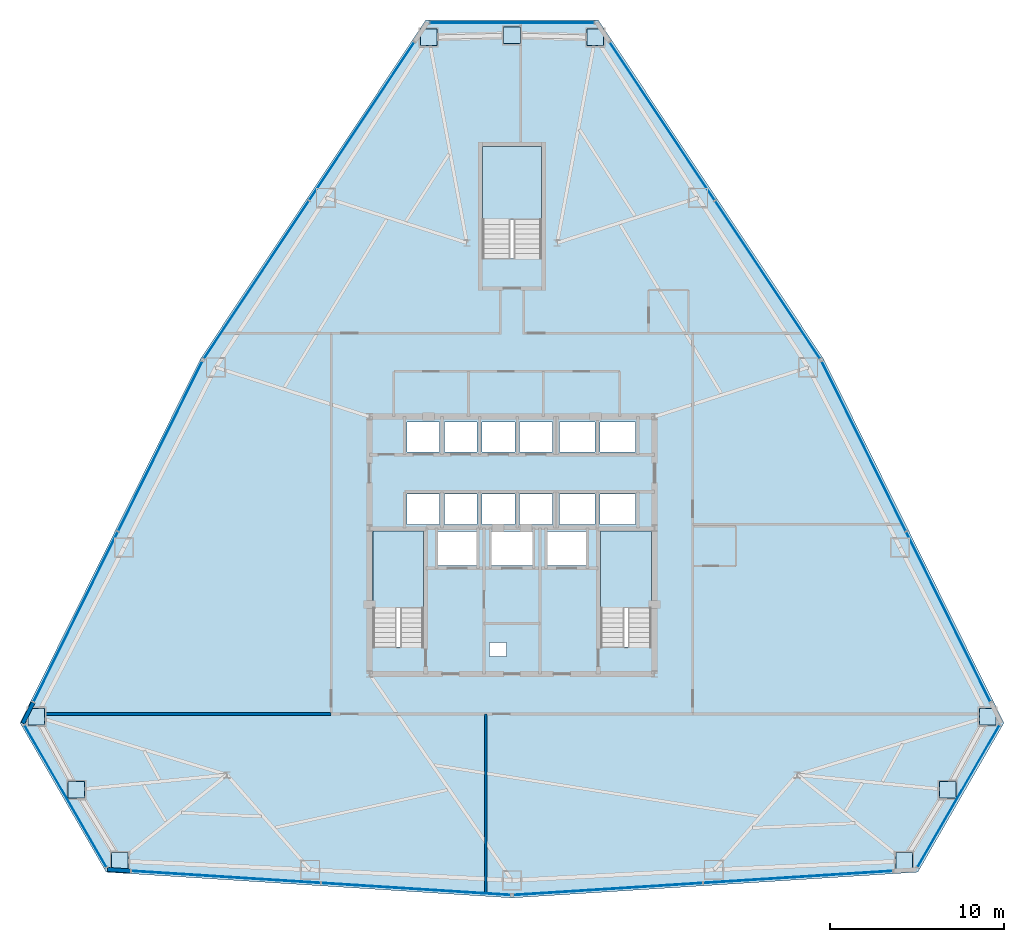
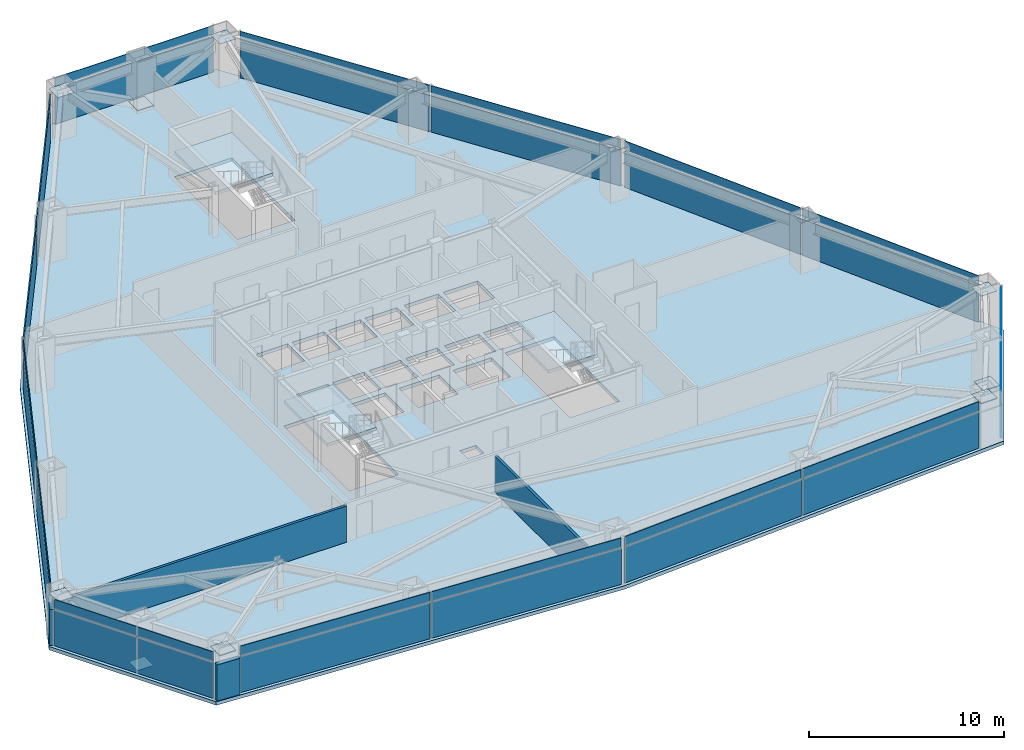
# One storey, part 8 of 12: 39 plates, 4 slabs, 4 walls, 12 elements without a shape of their own.
"""IFC4 building model written with IfcOpenShell, lengths in metres."""

import ifcopenshell
import ifcopenshell.guid

model = None  # the IFC model being written
_history = None  # IfcOwnerHistory: only IFC2X3 demands one
_inside = {}  # id of a spatial element -> (the spatial element, [elements in it])
_under = {}  # id of a project, library or spatial element -> (it, [spatial elements below it])
_declared = {}  # id of a project -> (the project, [libraries it declares])
_typed = {}  # id of a type object -> (the type object, [elements of that type])
_made_of = {}  # id of a material, layer set ... -> (it, [elements and type objects made of it])


def new_model(schema):
    """Start an empty IFC model of exactly this schema.

    Asked for "IFC4X3", IfcOpenShell would pick the latest addendum, in which some entities
    have other attributes; the version numbers below select the first issue.
    IFC2X3 requires an IfcOwnerHistory on every rooted entity: one is made here for all.
    """
    global model, _history
    if schema == "IFC4X3":
        model = ifcopenshell.file(schema_version=(4, 3, 0, 0))
    else:
        model = ifcopenshell.file(schema=schema)
    _inside.clear()
    _under.clear()
    _declared.clear()
    _typed.clear()
    _made_of.clear()
    _history = None
    if model.schema == "IFC2X3":
        org = make("IfcOrganization", Name="unknown")
        user = make(
            "IfcPersonAndOrganization",
            ThePerson=make("IfcPerson", FamilyName="unknown"),
            TheOrganization=org,
        )
        app = make(
            "IfcApplication",
            ApplicationDeveloper=org,
            Version="unknown",
            ApplicationFullName="unknown",
            ApplicationIdentifier="unknown",
        )
        _history = make(
            "IfcOwnerHistory",
            OwningUser=user,
            OwningApplication=app,
            ChangeAction="ADDED",
            CreationDate=0,
        )
    return model


def make(cls, **values):
    """One entity of the class cls with the attributes given. An attribute that is None is left unset."""
    return model.create_entity(
        cls, **{name: value for name, value in values.items() if value is not None}
    )


def rooted(cls, **values):
    """An entity with a GlobalId (a new one), such as an element, a storey or a relation."""
    return make(cls, GlobalId=ifcopenshell.guid.new(), OwnerHistory=_history, **values)


def si_unit(unit_type, name, prefix=None):
    """IfcSIUnit, for example si_unit("LENGTHUNIT", "METRE", prefix="MILLI")."""
    return make("IfcSIUnit", UnitType=unit_type, Prefix=prefix, Name=name)


def assignment(units):
    """IfcUnitAssignment: the units of a project."""
    return None if units is None else make("IfcUnitAssignment", Units=units)


def point(xyz):
    """IfcCartesianPoint."""
    return None if xyz is None else make("IfcCartesianPoint", Coordinates=xyz)


def direction(xyz):
    """IfcDirection."""
    return None if xyz is None else make("IfcDirection", DirectionRatios=xyz)


def frame(location, z_axis=None, x_axis=None):
    """IfcAxis2Placement3D, a coordinate frame: its origin and axes. An axis left out is left unset."""
    return make(
        "IfcAxis2Placement3D",
        Location=point(location),
        Axis=direction(z_axis),
        RefDirection=direction(x_axis),
    )


def frame_2d(location, x_axis=None):
    """IfcAxis2Placement2D, a coordinate frame in the plane: its origin and x axis."""
    return make(
        "IfcAxis2Placement2D", Location=point(location), RefDirection=direction(x_axis)
    )


def origin():
    """The frame at (0, 0, 0) with its axes left unset."""
    return frame((0.0, 0.0, 0.0))


def origin_2d():
    """The frame at (0, 0) in the plane with its x axis left unset."""
    return frame_2d((0.0, 0.0))


def place(relative_to, where):
    """IfcLocalPlacement: puts the frame where relative to a parent placement (None: the world)."""
    return make(
        "IfcLocalPlacement", PlacementRelTo=relative_to, RelativePlacement=where
    )


def context(
    kind, dimensions, precision=None, world=None, true_north=None, identifier=None
):
    """IfcGeometricRepresentationContext, for example the 3D "Model" context."""
    return make(
        "IfcGeometricRepresentationContext",
        ContextIdentifier=identifier,
        ContextType=kind,
        CoordinateSpaceDimension=dimensions,
        Precision=precision,
        WorldCoordinateSystem=world,
        TrueNorth=true_north,
    )


def subcontext(parent, identifier, kind, view, scale=None):
    """IfcGeometricRepresentationSubContext, for example "Body" below "Model"."""
    return make(
        "IfcGeometricRepresentationSubContext",
        ContextIdentifier=identifier,
        ContextType=kind,
        ParentContext=parent,
        TargetScale=scale,
        TargetView=view,
    )


def project(units=None, contexts=None):
    """IfcProject with its units and contexts."""
    return rooted(
        "IfcProject",
        Name="project",
        RepresentationContexts=contexts,
        UnitsInContext=assignment(units),
    )


def spatial(cls, under=None, at=None, **own):
    """A site, building, storey or space (cls), placed at a placement, below another one or the project."""
    s = rooted(cls, ObjectPlacement=at, **own)
    if under is not None:
        _under.setdefault(under.id(), (under, []))[1].append(s)
    return s


def polyline(points):
    """IfcPolyline through the points."""
    return make("IfcPolyline", Points=[point(p) for p in points])


def profile(cls, at=None, kind="AREA", **sizes):
    """A parametric profile (cls). Its sizes go by their IFC names, for example OverallWidth=200.0."""
    return make(cls, ProfileType=kind, Position=at, **sizes)


def rectangle(**sizes):
    """IfcRectangleProfileDef."""
    return profile("IfcRectangleProfileDef", **sizes)


def outline(outer, holes=None, kind="AREA"):
    """IfcArbitraryClosedProfileDef: a profile drawn as a closed curve; with holes, ...WithVoids."""
    if holes is None:
        return make("IfcArbitraryClosedProfileDef", ProfileType=kind, OuterCurve=outer)
    return make(
        "IfcArbitraryProfileDefWithVoids",
        ProfileType=kind,
        OuterCurve=outer,
        InnerCurves=holes,
    )


def extrude(swept, where, along, depth):
    """IfcExtrudedAreaSolid: the profile swept, set in the frame where, extruded along a direction by depth."""
    return make(
        "IfcExtrudedAreaSolid",
        SweptArea=swept,
        Position=where,
        ExtrudedDirection=direction(along),
        Depth=depth,
    )


def shape(context_of_items, identifier, shape_type, items):
    """IfcShapeRepresentation: the items that make up one representation, for example the "Body"."""
    return make(
        "IfcShapeRepresentation",
        ContextOfItems=context_of_items,
        RepresentationIdentifier=identifier,
        RepresentationType=shape_type,
        Items=items,
    )


def source(mapping_origin, context_of_items, identifier, shape_type, items):
    """IfcRepresentationMap: a shape defined once, which mapped items show again and again."""
    return make(
        "IfcRepresentationMap",
        MappingOrigin=mapping_origin,
        MappedRepresentation=shape(context_of_items, identifier, shape_type, items),
    )


def transform(
    local_origin,
    x_axis=None,
    y_axis=None,
    z_axis=None,
    scale=None,
    scale2=None,
    scale3=None,
    uniform=True,
):
    """IfcCartesianTransformationOperator3D, or its non-uniform kind. x_axis, y_axis, z_axis: its Axis1, 2, 3."""
    if uniform:
        return make(
            "IfcCartesianTransformationOperator3D",
            Axis1=direction(x_axis),
            Axis2=direction(y_axis),
            LocalOrigin=point(local_origin),
            Scale=scale,
            Axis3=direction(z_axis),
        )
    return make(
        "IfcCartesianTransformationOperator3DnonUniform",
        Axis1=direction(x_axis),
        Axis2=direction(y_axis),
        LocalOrigin=point(local_origin),
        Scale=scale,
        Axis3=direction(z_axis),
        Scale2=scale2,
        Scale3=scale3,
    )


def mapped(mapping_source, mapping_target):
    """IfcMappedItem: shows the shape of a source again, moved by a transform."""
    return make(
        "IfcMappedItem", MappingSource=mapping_source, MappingTarget=mapping_target
    )


def material(Name=None, Category=None):
    """IfcMaterial."""
    return make("IfcMaterial", Name=Name, Category=Category)


def layer(
    of_material, thickness, ventilated=None, Name=None, Category=None, Priority=None
):
    """IfcMaterialLayer: one layer of a wall or slab, of a material (None: an air gap)."""
    return make(
        "IfcMaterialLayer",
        Material=of_material,
        LayerThickness=thickness,
        IsVentilated=ventilated,
        Name=Name,
        Category=Category,
        Priority=Priority,
    )


def layer_set(layers, Name=None):
    """IfcMaterialLayerSet."""
    return make("IfcMaterialLayerSet", MaterialLayers=layers, LayerSetName=Name)


def made_of(thing, what):
    """Note that an element or type object is made of a material, layer set ...; save() writes the relation."""
    if what is not None:
        _made_of.setdefault(what.id(), (what, []))[1].append(thing)
    return thing


def type_object(cls, material=None, **own):
    """A type object (cls), such as IfcWallType, which elements share."""
    return made_of(rooted(cls, **own), material)


def type_shapes(of_type, sources):
    """Give a type object the sources (RepresentationMaps) that its elements show as mapped items."""
    of_type.RepresentationMaps = sources


def element(
    cls,
    number,
    at=None,
    inside=None,
    cuts=None,
    type_object=None,
    material=None,
    context=None,
    identifier="Body",
    shape_type=None,
    held_by="IfcProductDefinitionShape",
    body=None,
    shapes=None,
    **own,
):
    """One element of the class cls, such as IfcWall. Its Tag is "e" and its number.

    at: its placement. inside: the storey or other place that contains it. cuts: it is an
    opening in that element (IfcRelVoidsElement). A single representation is given by context,
    identifier, shape_type and body (its items); several are given by shapes. held_by: the class
    of the entity that holds the representations. save() writes the other relations.
    """
    e = rooted(cls, Tag="e%d" % number, ObjectPlacement=at, **own)
    if body is not None:
        shapes = [shape(context, identifier, shape_type, body)]
    if shapes is not None:
        e.Representation = make(held_by, Representations=shapes)
    if inside is not None:
        _inside.setdefault(inside.id(), (inside, []))[1].append(e)
    if cuts is not None:
        rooted(
            "IfcRelVoidsElement", RelatingBuildingElement=cuts, RelatedOpeningElement=e
        )
    if type_object is not None:
        _typed.setdefault(type_object.id(), (type_object, []))[1].append(e)
    return made_of(e, material)


def aggregate(whole, parts):
    """IfcRelAggregates: a whole, such as a stair, and the parts it consists of."""
    return rooted("IfcRelAggregates", RelatingObject=whole, RelatedObjects=parts)


def save(model, path):
    """Write the relations noted so far, then the file.

    IfcRelAggregates (storeys below a building ...), IfcRelContainedInSpatialStructure (elements
    in a storey), IfcRelDefinesByType, IfcRelAssociatesMaterial and IfcRelDeclares: one each for
    every whole, place, type object, material and project.
    """
    for whole, parts in _under.values():
        aggregate(whole, parts)
    for where, things in _inside.values():
        rooted(
            "IfcRelContainedInSpatialStructure",
            RelatedElements=things,
            RelatingStructure=where,
        )
    for kind, things in _typed.values():
        rooted("IfcRelDefinesByType", RelatedObjects=things, RelatingType=kind)
    for what, things in _made_of.values():
        rooted("IfcRelAssociatesMaterial", RelatedObjects=things, RelatingMaterial=what)
    for by, libraries in _declared.values():
        rooted("IfcRelDeclares", RelatingContext=by, RelatedDefinitions=libraries)
    model.write(path)


model = new_model("IFC4")

# Units and contexts
model_context = context("Model", 3, precision=1e-05, world=origin(), true_north=direction((0.0, 1.0)))
body_context = subcontext(model_context, "Body", "Model", "MODEL_VIEW")
ifc_project = project(units=[si_unit("LENGTHUNIT", "METRE"), si_unit("AREAUNIT", "SQUARE_METRE"), si_unit("VOLUMEUNIT", "CUBIC_METRE"), si_unit("PLANEANGLEUNIT", "RADIAN"), si_unit("MASSUNIT", "GRAM", prefix="KILO")], contexts=[model_context])

# Site, building, storey
site_placement = place(None, origin())
site = spatial("IfcSite", under=ifc_project, at=site_placement, CompositionType="ELEMENT")
building_placement = place(site_placement, origin())
building = spatial("IfcBuilding", under=site, at=building_placement, Name="Varakhsha Concourse Tower", CompositionType="ELEMENT")
storey_placement = place(building_placement, frame((0.0, 0.0, 62.39990234375)))
storey = spatial("IfcBuildingStorey", under=building, at=storey_placement, Name="L17", CompositionType="ELEMENT", Elevation=62.39990234375)

# Slab
ifc_material_1 = material(Name="Concrete fc 45 MPa", Category="concrete")
ifc_layer_1 = layer(ifc_material_1, 0.219970703125, Name="SL-FLR-220")
ifc_layer_set_1 = layer_set([ifc_layer_1], Name="Concrete fc 45 MPa")
slab_type_1 = type_object("IfcSlabType", Name="SL-FLR-220", PredefinedType="FLOOR", material=ifc_layer_set_1)
slab_1_placement = place(storey_placement, frame((0.0, 0.0, -0.219970703125)))
element("IfcSlab", 1, at=slab_1_placement, inside=storey, type_object=slab_type_1, Name="L17 Composite Structural Slab", PredefinedType="FLOOR", context=body_context, shape_type="SweptSolid", body=[
    extrude(outline(polyline([(44.95703125, 54.013916015625), (35.04296875, 54.013916015625), (22.088623046875, 34.541015625), (11.701904296875, 13.5859375), (16.658935546875, 5.0), (40.0, 3.517822265625), (63.341064453125, 5.0), (68.298095703125, 13.5859375), (57.911376953125, 34.541015625), (44.95703125, 54.013916015625)]), holes=[polyline([(34.919921875, 17.93994140625), (34.919921875, 24.6298828125), (32.0, 24.6298828125), (32.0, 17.93994140625), (34.919921875, 17.93994140625)]), polyline([(48.02001953125, 17.93994140625), (48.02001953125, 24.6298828125), (45.10009765625, 24.6298828125), (45.10009765625, 17.93994140625), (48.02001953125, 17.93994140625)]), polyline([(41.699951171875, 40.300048828125), (41.699951171875, 46.75), (38.300048828125, 46.75), (38.300048828125, 40.300048828125), (41.699951171875, 40.300048828125)]), polyline([(33.9599609375, 29.159912109375), (35.840087890625, 29.159912109375), (35.840087890625, 30.89990234375), (33.9599609375, 30.89990234375), (33.9599609375, 29.159912109375)]), polyline([(36.1201171875, 29.159912109375), (38.0, 29.159912109375), (38.0, 30.89990234375), (36.1201171875, 30.89990234375), (36.1201171875, 29.159912109375)]), polyline([(38.280029296875, 29.159912109375), (40.159912109375, 29.159912109375), (40.159912109375, 30.89990234375), (38.280029296875, 30.89990234375), (38.280029296875, 29.159912109375)]), polyline([(40.43994140625, 29.159912109375), (42.320068359375, 29.159912109375), (42.320068359375, 30.89990234375), (40.43994140625, 30.89990234375), (40.43994140625, 29.159912109375)]), polyline([(33.9599609375, 25.0), (35.840087890625, 25.0), (35.840087890625, 26.739990234375), (33.9599609375, 26.739990234375), (33.9599609375, 25.0)]), polyline([(36.1201171875, 25.0), (38.0, 25.0), (38.0, 26.739990234375), (36.1201171875, 26.739990234375), (36.1201171875, 25.0)]), polyline([(38.280029296875, 25.0), (40.159912109375, 25.0), (40.159912109375, 26.739990234375), (38.280029296875, 26.739990234375), (38.280029296875, 25.0)]), polyline([(40.43994140625, 25.0), (42.320068359375, 25.0), (42.320068359375, 26.739990234375), (40.43994140625, 26.739990234375), (40.43994140625, 25.0)]), polyline([(42.739990234375, 29.159912109375), (44.780029296875, 29.159912109375), (44.780029296875, 30.89990234375), (42.739990234375, 30.89990234375), (42.739990234375, 29.159912109375)]), polyline([(45.06005859375, 29.159912109375), (47.10009765625, 29.159912109375), (47.10009765625, 30.89990234375), (45.06005859375, 30.89990234375), (45.06005859375, 29.159912109375)]), polyline([(42.739990234375, 25.0), (44.780029296875, 25.0), (44.780029296875, 26.739990234375), (42.739990234375, 26.739990234375), (42.739990234375, 25.0)]), polyline([(45.06005859375, 25.0), (47.10009765625, 25.0), (47.10009765625, 26.739990234375), (45.06005859375, 26.739990234375), (45.06005859375, 25.0)]), polyline([(35.7099609375, 22.639892578125), (37.989990234375, 22.639892578125), (37.989990234375, 24.60009765625), (35.7099609375, 24.60009765625), (35.7099609375, 22.639892578125)]), polyline([(42.010009765625, 22.639892578125), (44.2900390625, 22.639892578125), (44.2900390625, 24.60009765625), (42.010009765625, 24.60009765625), (42.010009765625, 22.639892578125)]), polyline([(38.81005859375, 22.639892578125), (41.18994140625, 22.639892578125), (41.18994140625, 24.60009765625), (38.81005859375, 24.60009765625), (38.81005859375, 22.639892578125)]), polyline([(38.719970703125, 17.39990234375), (39.679931640625, 17.39990234375), (39.679931640625, 18.199951171875), (38.719970703125, 18.199951171875), (38.719970703125, 17.39990234375)])]), origin(), (0.0, 0.0, 1.0), 0.219970703125),
])

# Stair, slab
stair_type_1 = type_object("IfcStairType", Name="ST-DOGLEG-1360", PredefinedType="HALF_TURN_STAIR", material=ifc_material_1)
stair_1_placement = place(storey_placement, origin())
stair_1 = element("IfcStair", 2, at=stair_1_placement, inside=storey, type_object=stair_type_1, Name="L17 Protected Exit Stair ST1", PredefinedType="HALF_TURN_STAIR")
ifc_layer_2 = layer(ifc_material_1, 0.199951171875, Name="SL-LAND-200")
ifc_layer_set_2 = layer_set([ifc_layer_2], Name="Concrete fc 45 MPa")
slab_type_2 = type_object("IfcSlabType", Name="SL-LAND-200", PredefinedType="LANDING", material=ifc_layer_set_2)
slab_2_placement = place(storey_placement, frame((0.0, 0.0, 1.400146484375)))
slab_2 = element("IfcSlab", 3, at=slab_2_placement, type_object=slab_type_2, Name="ST1 landing 1", PredefinedType="LANDING", context=body_context, shape_type="SweptSolid", body=[
    extrude(outline(polyline([(34.919921875, 20.179931640625), (34.919921875, 24.6298828125), (32.0, 24.6298828125), (32.0, 20.179931640625), (34.919921875, 20.179931640625)])), origin(), (0.0, 0.0, 1.0), 0.199951171875),
])
aggregate(stair_1, [slab_2])

stair_2_placement = place(storey_placement, origin())
stair_2 = element("IfcStair", 4, at=stair_2_placement, inside=storey, type_object=stair_type_1, Name="L17 Protected Exit Stair ST2", PredefinedType="HALF_TURN_STAIR")
slab_3_placement = place(storey_placement, frame((0.0, 0.0, 1.400146484375)))
slab_3 = element("IfcSlab", 5, at=slab_3_placement, type_object=slab_type_2, Name="ST2 landing 1", PredefinedType="LANDING", context=body_context, shape_type="SweptSolid", body=[
    extrude(outline(polyline([(48.02001953125, 20.179931640625), (48.02001953125, 24.6298828125), (45.10009765625, 24.6298828125), (45.10009765625, 20.179931640625), (48.02001953125, 20.179931640625)])), origin(), (0.0, 0.0, 1.0), 0.199951171875),
])
aggregate(stair_2, [slab_3])

stair_type_2 = type_object("IfcStairType", Name="ST-DOGLEG-1600", PredefinedType="HALF_TURN_STAIR", material=ifc_material_1)
stair_3_placement = place(storey_placement, origin())
stair_3 = element("IfcStair", 6, at=stair_3_placement, inside=storey, type_object=stair_type_2, Name="L17 Protected Exit Stair ST5", PredefinedType="HALF_TURN_STAIR")
slab_4_placement = place(storey_placement, frame((0.0, 0.0, 1.400146484375)))
slab_4 = element("IfcSlab", 7, at=slab_4_placement, type_object=slab_type_2, Name="ST5 landing 1", PredefinedType="LANDING", context=body_context, shape_type="SweptSolid", body=[
    extrude(outline(polyline([(41.699951171875, 42.5400390625), (41.699951171875, 46.75), (38.300048828125, 46.75), (38.300048828125, 42.5400390625), (41.699951171875, 42.5400390625)])), origin(), (0.0, 0.0, 1.0), 0.199951171875),
])
aggregate(stair_3, [slab_4])

# Plates
ifc_material_2 = material(Name="Structural Steel ASTM A572 Grade 50", Category="steel")
ifc_layer_3 = layer(ifc_material_2, 0.030029296875, Name="PL-ENDCAP-950")
ifc_layer_set_3 = layer_set([ifc_layer_3], Name="Structural Steel ASTM A572 Grade 50")
plate_type_1 = type_object("IfcPlateType", Name="PL-ENDCAP-950", PredefinedType="USERDEFINED", material=ifc_layer_set_3)
shared_shape_1 = source(origin(), body_context, "Body", "SweptSolid", [
    extrude(rectangle(XDim=0.949951171875, YDim=0.949951171875, at=origin_2d()), origin(), (0.0, 0.0, 1.0), 0.030029296875),
])
type_shapes(plate_type_1, [shared_shape_1])
for number, where, z_axis, x_axis, name in (
    (8, (40.0, 53.134033203125, 0.10498046875), (0.0, 0.0, 1.0), (1.0, 0.0, 0.0), "Hollow Section End Cap GP-NODE-L17-0121"),
    (9, (44.791015625, 53.015625, 2.6650390625), (0.0, 0.0, 1.0), (1.0, 0.0, 0.0), "Hollow Section End Cap GP-NODE-L17-0122"),
    (10, (35.208984375, 53.015625, 2.6650390625), (0.0, 0.0, 1.0), (1.0, 0.0, 0.0), "Hollow Section End Cap GP-NODE-L17-0123"),
    (11, (14.9423828125, 9.73291015625, 0.10498046875), (0.0, 0.0, 1.0), (1.0, 0.0, 0.0), "Hollow Section End Cap GP-NODE-L17-0124"),
    (12, (12.6494140625, 13.94140625, 2.6650390625), (0.0, 0.0, 1.0), (1.0, 0.0, 0.0), "Hollow Section End Cap GP-NODE-L17-0125"),
    (13, (17.4404296875, 5.642822265625, 2.6650390625), (0.0, 0.0, 1.0), (1.0, 0.0, 0.0), "Hollow Section End Cap GP-NODE-L17-0126"),
    (14, (65.0576171875, 9.73291015625, 0.10498046875), (0.0, 0.0, 1.0), (1.0, 0.0, 0.0), "Hollow Section End Cap GP-NODE-L17-0127"),
    (15, (62.5595703125, 5.642822265625, 2.6650390625), (0.0, 0.0, 1.0), (1.0, 0.0, 0.0), "Hollow Section End Cap GP-NODE-L17-0128"),
    (16, (67.3505859375, 13.94140625, 2.6650390625), (0.0, 0.0, 1.0), (1.0, 0.0, 0.0), "Hollow Section End Cap GP-NODE-L17-0129"),
):
    element("IfcPlate", number, at=place(storey_placement, frame(where, z_axis=z_axis, x_axis=x_axis)), inside=storey, type_object=plate_type_1, Name=name, ObjectType="END PLATE", PredefinedType="USERDEFINED", context=body_context, shape_type="MappedRepresentation", body=[
        mapped(shared_shape_1, transform((0.0, 0.0, 0.0), scale=1.0)),
    ])

# Curtain wall, plate
ifc_material_3 = material(Name="Anodised Bronze Architectural Aluminium AA 6063-T6", Category="aluminium")
ifc_layer_4 = layer(ifc_material_3, 0.219970703125, Name="CW-SYS-02")
ifc_layer_set_4 = layer_set([ifc_layer_4], Name="Anodised Bronze Architectural Aluminium AA 6063-T6")
curtain_wall_type = type_object("IfcCurtainWallType", Name="CW-SYS-02", PredefinedType="NOTDEFINED", material=ifc_layer_set_4)
curtain_wall_1_placement = place(storey_placement, origin())
curtain_wall_1 = element("IfcCurtainWall", 17, at=curtain_wall_1_placement, inside=storey, type_object=curtain_wall_type, Name="L17 Chamfer Curtain Wall F1", PredefinedType="NOTDEFINED")
ifc_material_4 = material(Name="Insulated Anodised Bronze Aluminium Spandrel 36 mm", Category="aluminium")
ifc_layer_5 = layer(ifc_material_4, 0.035888671875, Name="CWP-SPN-36")
ifc_layer_set_5 = layer_set([ifc_layer_5], Name="Insulated Anodised Bronze Aluminium Spandrel 36 mm")
plate_type_2 = type_object("IfcPlateType", Name="CWP-SPN-36", PredefinedType="USERDEFINED", material=ifc_layer_set_5)
shared_shape_2 = source(origin(), body_context, "Body", "SweptSolid", [
    extrude(rectangle(XDim=9.395263671875, YDim=0.035888671875, at=origin_2d()), origin(), (0.0, 0.0, 1.0), 2.260986328125),
])
type_shapes(plate_type_2, [shared_shape_2])
plate_1_placement = place(storey_placement, frame((40.0, 53.85400390625, 0.03466796875), z_axis=(0.0, 0.0, 1.0), x_axis=(1.0, 0.0, 0.0)))
plate_1 = element("IfcPlate", 18, at=plate_1_placement, type_object=plate_type_2, Name="CW-L17-F1 Panel 00-00", ObjectType="SPANDREL", PredefinedType="USERDEFINED", context=body_context, shape_type="MappedRepresentation", body=[
    mapped(shared_shape_2, transform((0.0, 0.0, 0.0), scale=1.0)),
])

curtain_wall_2_placement = place(storey_placement, origin())
curtain_wall_2 = element("IfcCurtainWall", 19, at=curtain_wall_2_placement, inside=storey, type_object=curtain_wall_type, Name="L17 Chamfer Curtain Wall F4", PredefinedType="NOTDEFINED")
plate_2_placement = place(storey_placement, frame((14.319091796875, 9.373046875, 0.03466796875), z_axis=(0.0, 0.0, 1.0), x_axis=(-0.499995465495, 0.866028021766, 0.0)))
plate_2 = element("IfcPlate", 20, at=plate_2_placement, type_object=plate_type_2, Name="CW-L17-F4 Panel 00-00", ObjectType="SPANDREL", PredefinedType="USERDEFINED", context=body_context, shape_type="MappedRepresentation", body=[
    mapped(shared_shape_2, transform((0.0, 0.0, 0.0), scale=1.0)),
])

curtain_wall_3_placement = place(storey_placement, origin())
curtain_wall_3 = element("IfcCurtainWall", 21, at=curtain_wall_3_placement, inside=storey, type_object=curtain_wall_type, Name="L17 Chamfer Curtain Wall F7", PredefinedType="NOTDEFINED")
plate_3_placement = place(storey_placement, frame((65.680908203125, 9.373046875, 0.03466796875), z_axis=(0.0, 0.0, 1.0), x_axis=(-0.499995465495, -0.866028021766, 0.0)))
plate_3 = element("IfcPlate", 22, at=plate_3_placement, type_object=plate_type_2, Name="CW-L17-F7 Panel 00-00", ObjectType="SPANDREL", PredefinedType="USERDEFINED", context=body_context, shape_type="MappedRepresentation", body=[
    mapped(shared_shape_2, transform((0.0, 0.0, 0.0), scale=1.0)),
])

# Plate
ifc_material_5 = material(Name="Glazed Turquoise-Bronze Ceramic Spandrel Panel 38 mm", Category="ceramic")
ifc_layer_6 = layer(ifc_material_5, 0.0380859375, Name="CWP-SPN-38")
ifc_layer_set_6 = layer_set([ifc_layer_6], Name="Glazed Turquoise-Bronze Ceramic Spandrel Panel 38 mm")
plate_type_3 = type_object("IfcPlateType", Name="CWP-SPN-38", PredefinedType="USERDEFINED", material=ifc_layer_set_6)
shared_shape_3 = source(origin(), body_context, "Body", "SweptSolid", [
    extrude(rectangle(XDim=9.395263671875, YDim=0.0380859375, at=origin_2d()), origin(), (0.0, 0.0, 1.0), 0.5810546875),
])
plate_4_placement = place(storey_placement, frame((40.0, 53.85400390625, 2.364501953125), z_axis=(0.0, 0.0, 1.0), x_axis=(1.0, 0.0, 0.0)))
plate_4 = element("IfcPlate", 23, at=plate_4_placement, type_object=plate_type_3, Name="CW-L17-F1 Panel 00-01", ObjectType="SPANDREL", PredefinedType="USERDEFINED", context=body_context, shape_type="MappedRepresentation", body=[
    mapped(shared_shape_3, transform((0.0, 0.0, 0.0), scale=1.0)),
])

aggregate(curtain_wall_1, [plate_1, plate_4])

plate_5_placement = place(storey_placement, frame((14.319091796875, 9.373046875, 2.364501953125), z_axis=(0.0, 0.0, 1.0), x_axis=(-0.499995465495, 0.866028021766, 0.0)))
plate_5 = element("IfcPlate", 24, at=plate_5_placement, type_object=plate_type_3, Name="CW-L17-F4 Panel 00-01", ObjectType="SPANDREL", PredefinedType="USERDEFINED", context=body_context, shape_type="MappedRepresentation", body=[
    mapped(shared_shape_3, transform((0.0, 0.0, 0.0), scale=1.0)),
])

aggregate(curtain_wall_2, [plate_2, plate_5])

plate_6_placement = place(storey_placement, frame((65.680908203125, 9.373046875, 2.364501953125), z_axis=(0.0, 0.0, 1.0), x_axis=(-0.499995465495, -0.866028021766, 0.0)))
plate_6 = element("IfcPlate", 25, at=plate_6_placement, type_object=plate_type_3, Name="CW-L17-F7 Panel 00-01", ObjectType="SPANDREL", PredefinedType="USERDEFINED", context=body_context, shape_type="MappedRepresentation", body=[
    mapped(shared_shape_3, transform((0.0, 0.0, 0.0), scale=1.0)),
])

aggregate(curtain_wall_3, [plate_3, plate_6])

# Curtain wall, plates
curtain_wall_4_placement = place(storey_placement, origin())
curtain_wall_4 = element("IfcCurtainWall", 26, at=curtain_wall_4_placement, inside=storey, type_object=curtain_wall_type, Name="L17 Crystal Curtain Wall F2", PredefinedType="NOTDEFINED")
ifc_material_6 = material(Name="Low-E Triple Insulating Glass IGU 44 mm", Category="glass")
ifc_layer_7 = layer(ifc_material_6, 0.0439453125, Name="CWP-IGU-44")
ifc_layer_set_7 = layer_set([ifc_layer_7], Name="Low-E Triple Insulating Glass IGU 44 mm")
plate_type_4 = type_object("IfcPlateType", Name="CWP-IGU-44", PredefinedType="CURTAIN_PANEL", material=ifc_layer_set_7)
shared_shape_4 = source(origin(), body_context, "Body", "SweptSolid", [
    extrude(rectangle(XDim=10.864990234375, YDim=0.0439453125, at=origin_2d()), origin(), (0.0, 0.0, 1.0), 2.260986328125),
])
type_shapes(plate_type_4, [shared_shape_4])
plate_7_placement = place(storey_placement, frame((25.297119140625, 39.0751953125, 0.03466796875), z_axis=(0.0, 0.0, 1.0), x_axis=(0.553879904586, 0.832596571753, 0.0)))
plate_7 = element("IfcPlate", 27, at=plate_7_placement, type_object=plate_type_4, Name="CW-L17-F2 Panel 00-00", PredefinedType="CURTAIN_PANEL", context=body_context, shape_type="MappedRepresentation", body=[
    mapped(shared_shape_4, transform((0.0, 0.0, 0.0), scale=1.0)),
])
plate_8_placement = place(storey_placement, frame((31.35888671875, 48.18701171875, 0.03466796875), z_axis=(0.0, 0.0, 1.0), x_axis=(0.553879904586, 0.832596571753, 0.0)))
plate_8 = element("IfcPlate", 28, at=plate_8_placement, type_object=plate_type_4, Name="CW-L17-F2 Panel 01-00", PredefinedType="CURTAIN_PANEL", context=body_context, shape_type="MappedRepresentation", body=[
    mapped(shared_shape_4, transform((0.0, 0.0, 0.0), scale=1.0)),
])

curtain_wall_5_placement = place(storey_placement, origin())
curtain_wall_5 = element("IfcCurtainWall", 29, at=curtain_wall_5_placement, inside=storey, type_object=curtain_wall_type, Name="L17 Crystal Curtain Wall F3", PredefinedType="NOTDEFINED")
plate_9_placement = place(storey_placement, frame((14.906005859375, 19.690185546875, 0.03466796875), z_axis=(0.0, 0.0, 1.0), x_axis=(0.444109829949, 0.895972353894, 0.0)))
plate_9 = element("IfcPlate", 30, at=plate_9_placement, type_object=plate_type_4, Name="CW-L17-F3 Panel 00-00", PredefinedType="CURTAIN_PANEL", context=body_context, shape_type="MappedRepresentation", body=[
    mapped(shared_shape_4, transform((0.0, 0.0, 0.0), scale=1.0)),
])
plate_10_placement = place(storey_placement, frame((19.766357421875, 29.49560546875, 0.03466796875), z_axis=(0.0, 0.0, 1.0), x_axis=(0.444109829949, 0.895972353894, 0.0)))
plate_10 = element("IfcPlate", 31, at=plate_10_placement, type_object=plate_type_4, Name="CW-L17-F3 Panel 01-00", PredefinedType="CURTAIN_PANEL", context=body_context, shape_type="MappedRepresentation", body=[
    mapped(shared_shape_4, transform((0.0, 0.0, 0.0), scale=1.0)),
])

curtain_wall_6_placement = place(storey_placement, origin())
curtain_wall_6 = element("IfcCurtainWall", 32, at=curtain_wall_6_placement, inside=storey, type_object=curtain_wall_type, Name="L17 Crystal Curtain Wall F5", PredefinedType="NOTDEFINED")
plate_11_placement = place(storey_placement, frame((34.46923828125, 4.029296875, 0.03466796875), z_axis=(0.0, 0.0, 1.0), x_axis=(-0.997989623922, 0.063377523961, 0.0)))
plate_11 = element("IfcPlate", 33, at=plate_11_placement, type_object=plate_type_4, Name="CW-L17-F5 Panel 00-00", PredefinedType="CURTAIN_PANEL", context=body_context, shape_type="MappedRepresentation", body=[
    mapped(shared_shape_4, transform((0.0, 0.0, 0.0), scale=1.0)),
])
plate_12_placement = place(storey_placement, frame((23.547119140625, 4.722900390625, 0.03466796875), z_axis=(0.0, 0.0, 1.0), x_axis=(-0.997989623922, 0.063377523961, 0.0)))
plate_12 = element("IfcPlate", 34, at=plate_12_placement, type_object=plate_type_4, Name="CW-L17-F5 Panel 01-00", PredefinedType="CURTAIN_PANEL", context=body_context, shape_type="MappedRepresentation", body=[
    mapped(shared_shape_4, transform((0.0, 0.0, 0.0), scale=1.0)),
])

curtain_wall_7_placement = place(storey_placement, origin())
curtain_wall_7 = element("IfcCurtainWall", 35, at=curtain_wall_7_placement, inside=storey, type_object=curtain_wall_type, Name="L17 Crystal Curtain Wall F6", PredefinedType="NOTDEFINED")
plate_13_placement = place(storey_placement, frame((56.452880859375, 4.722900390625, 0.03466796875), z_axis=(0.0, 0.0, 1.0), x_axis=(-0.997989623922, -0.063377523961, 0.0)))
plate_13 = element("IfcPlate", 36, at=plate_13_placement, type_object=plate_type_4, Name="CW-L17-F6 Panel 00-00", PredefinedType="CURTAIN_PANEL", context=body_context, shape_type="MappedRepresentation", body=[
    mapped(shared_shape_4, transform((0.0, 0.0, 0.0), scale=1.0)),
])
plate_14_placement = place(storey_placement, frame((45.53076171875, 4.029296875, 0.03466796875), z_axis=(0.0, 0.0, 1.0), x_axis=(-0.997989623922, -0.063377523961, 0.0)))
plate_14 = element("IfcPlate", 37, at=plate_14_placement, type_object=plate_type_4, Name="CW-L17-F6 Panel 01-00", PredefinedType="CURTAIN_PANEL", context=body_context, shape_type="MappedRepresentation", body=[
    mapped(shared_shape_4, transform((0.0, 0.0, 0.0), scale=1.0)),
])

curtain_wall_8_placement = place(storey_placement, origin())
curtain_wall_8 = element("IfcCurtainWall", 38, at=curtain_wall_8_placement, inside=storey, type_object=curtain_wall_type, Name="L17 Crystal Curtain Wall F8", PredefinedType="NOTDEFINED")
plate_15_placement = place(storey_placement, frame((60.233642578125, 29.49560546875, 0.03466796875), z_axis=(0.0, 0.0, 1.0), x_axis=(0.444109829949, -0.895972353894, 0.0)))
plate_15 = element("IfcPlate", 39, at=plate_15_placement, type_object=plate_type_4, Name="CW-L17-F8 Panel 00-00", PredefinedType="CURTAIN_PANEL", context=body_context, shape_type="MappedRepresentation", body=[
    mapped(shared_shape_4, transform((0.0, 0.0, 0.0), scale=1.0)),
])
plate_16_placement = place(storey_placement, frame((65.093994140625, 19.68994140625, 0.03466796875), z_axis=(0.0, 0.0, 1.0), x_axis=(0.444109829949, -0.895972353894, 0.0)))
plate_16 = element("IfcPlate", 40, at=plate_16_placement, type_object=plate_type_4, Name="CW-L17-F8 Panel 01-00", PredefinedType="CURTAIN_PANEL", context=body_context, shape_type="MappedRepresentation", body=[
    mapped(shared_shape_4, transform((0.0, 0.0, 0.0), scale=1.0)),
])

curtain_wall_9_placement = place(storey_placement, origin())
curtain_wall_9 = element("IfcCurtainWall", 41, at=curtain_wall_9_placement, inside=storey, type_object=curtain_wall_type, Name="L17 Crystal Curtain Wall F9", PredefinedType="NOTDEFINED")
plate_17_placement = place(storey_placement, frame((48.641357421875, 48.18701171875, 0.03466796875), z_axis=(0.0, 0.0, 1.0), x_axis=(0.553879904586, -0.832596571753, 0.0)))
plate_17 = element("IfcPlate", 42, at=plate_17_placement, type_object=plate_type_4, Name="CW-L17-F9 Panel 00-00", PredefinedType="CURTAIN_PANEL", context=body_context, shape_type="MappedRepresentation", body=[
    mapped(shared_shape_4, transform((0.0, 0.0, 0.0), scale=1.0)),
])
plate_18_placement = place(storey_placement, frame((54.702880859375, 39.0751953125, 0.03466796875), z_axis=(0.0, 0.0, 1.0), x_axis=(0.553879904586, -0.832596571753, 0.0)))
plate_18 = element("IfcPlate", 43, at=plate_18_placement, type_object=plate_type_4, Name="CW-L17-F9 Panel 01-00", PredefinedType="CURTAIN_PANEL", context=body_context, shape_type="MappedRepresentation", body=[
    mapped(shared_shape_4, transform((0.0, 0.0, 0.0), scale=1.0)),
])

# Plate
shared_shape_5 = source(origin(), body_context, "Body", "SweptSolid", [
    extrude(rectangle(XDim=10.864990234375, YDim=0.0380859375, at=origin_2d()), origin(), (0.0, 0.0, 1.0), 0.5810546875),
])
type_shapes(plate_type_3, [shared_shape_3, shared_shape_5])
plate_19_placement = place(storey_placement, frame((25.297119140625, 39.0751953125, 2.364501953125), z_axis=(0.0, 0.0, 1.0), x_axis=(0.553879904586, 0.832596571753, 0.0)))
plate_19 = element("IfcPlate", 44, at=plate_19_placement, type_object=plate_type_3, Name="CW-L17-F2 Panel 00-01", ObjectType="SPANDREL", PredefinedType="USERDEFINED", context=body_context, shape_type="MappedRepresentation", body=[
    mapped(shared_shape_5, transform((0.0, 0.0, 0.0), scale=1.0)),
])

plate_20_placement = place(storey_placement, frame((31.35888671875, 48.18701171875, 2.364501953125), z_axis=(0.0, 0.0, 1.0), x_axis=(0.553879904586, 0.832596571753, 0.0)))
plate_20 = element("IfcPlate", 45, at=plate_20_placement, type_object=plate_type_3, Name="CW-L17-F2 Panel 01-01", ObjectType="SPANDREL", PredefinedType="USERDEFINED", context=body_context, shape_type="MappedRepresentation", body=[
    mapped(shared_shape_5, transform((0.0, 0.0, 0.0), scale=1.0)),
])

aggregate(curtain_wall_4, [plate_7, plate_19, plate_8, plate_20])

plate_21_placement = place(storey_placement, frame((14.906005859375, 19.690185546875, 2.364501953125), z_axis=(0.0, 0.0, 1.0), x_axis=(0.444109829949, 0.895972353894, 0.0)))
plate_21 = element("IfcPlate", 46, at=plate_21_placement, type_object=plate_type_3, Name="CW-L17-F3 Panel 00-01", ObjectType="SPANDREL", PredefinedType="USERDEFINED", context=body_context, shape_type="MappedRepresentation", body=[
    mapped(shared_shape_5, transform((0.0, 0.0, 0.0), scale=1.0)),
])

plate_22_placement = place(storey_placement, frame((19.766357421875, 29.49560546875, 2.364501953125), z_axis=(0.0, 0.0, 1.0), x_axis=(0.444109829949, 0.895972353894, 0.0)))
plate_22 = element("IfcPlate", 47, at=plate_22_placement, type_object=plate_type_3, Name="CW-L17-F3 Panel 01-01", ObjectType="SPANDREL", PredefinedType="USERDEFINED", context=body_context, shape_type="MappedRepresentation", body=[
    mapped(shared_shape_5, transform((0.0, 0.0, 0.0), scale=1.0)),
])

aggregate(curtain_wall_5, [plate_9, plate_21, plate_10, plate_22])

plate_23_placement = place(storey_placement, frame((34.46923828125, 4.029296875, 2.364501953125), z_axis=(0.0, 0.0, 1.0), x_axis=(-0.997989623922, 0.063377523961, 0.0)))
plate_23 = element("IfcPlate", 48, at=plate_23_placement, type_object=plate_type_3, Name="CW-L17-F5 Panel 00-01", ObjectType="SPANDREL", PredefinedType="USERDEFINED", context=body_context, shape_type="MappedRepresentation", body=[
    mapped(shared_shape_5, transform((0.0, 0.0, 0.0), scale=1.0)),
])

plate_24_placement = place(storey_placement, frame((23.547119140625, 4.722900390625, 2.364501953125), z_axis=(0.0, 0.0, 1.0), x_axis=(-0.997989623922, 0.063377523961, 0.0)))
plate_24 = element("IfcPlate", 49, at=plate_24_placement, type_object=plate_type_3, Name="CW-L17-F5 Panel 01-01", ObjectType="SPANDREL", PredefinedType="USERDEFINED", context=body_context, shape_type="MappedRepresentation", body=[
    mapped(shared_shape_5, transform((0.0, 0.0, 0.0), scale=1.0)),
])

aggregate(curtain_wall_6, [plate_11, plate_23, plate_12, plate_24])

plate_25_placement = place(storey_placement, frame((56.452880859375, 4.722900390625, 2.364501953125), z_axis=(0.0, 0.0, 1.0), x_axis=(-0.997989623922, -0.063377523961, 0.0)))
plate_25 = element("IfcPlate", 50, at=plate_25_placement, type_object=plate_type_3, Name="CW-L17-F6 Panel 00-01", ObjectType="SPANDREL", PredefinedType="USERDEFINED", context=body_context, shape_type="MappedRepresentation", body=[
    mapped(shared_shape_5, transform((0.0, 0.0, 0.0), scale=1.0)),
])

plate_26_placement = place(storey_placement, frame((45.53076171875, 4.029296875, 2.364501953125), z_axis=(0.0, 0.0, 1.0), x_axis=(-0.997989623922, -0.063377523961, 0.0)))
plate_26 = element("IfcPlate", 51, at=plate_26_placement, type_object=plate_type_3, Name="CW-L17-F6 Panel 01-01", ObjectType="SPANDREL", PredefinedType="USERDEFINED", context=body_context, shape_type="MappedRepresentation", body=[
    mapped(shared_shape_5, transform((0.0, 0.0, 0.0), scale=1.0)),
])

aggregate(curtain_wall_7, [plate_13, plate_25, plate_14, plate_26])

plate_27_placement = place(storey_placement, frame((60.233642578125, 29.49560546875, 2.364501953125), z_axis=(0.0, 0.0, 1.0), x_axis=(0.444109829949, -0.895972353894, 0.0)))
plate_27 = element("IfcPlate", 52, at=plate_27_placement, type_object=plate_type_3, Name="CW-L17-F8 Panel 00-01", ObjectType="SPANDREL", PredefinedType="USERDEFINED", context=body_context, shape_type="MappedRepresentation", body=[
    mapped(shared_shape_5, transform((0.0, 0.0, 0.0), scale=1.0)),
])

plate_28_placement = place(storey_placement, frame((65.093994140625, 19.68994140625, 2.364501953125), z_axis=(0.0, 0.0, 1.0), x_axis=(0.444109829949, -0.895972353894, 0.0)))
plate_28 = element("IfcPlate", 53, at=plate_28_placement, type_object=plate_type_3, Name="CW-L17-F8 Panel 01-01", ObjectType="SPANDREL", PredefinedType="USERDEFINED", context=body_context, shape_type="MappedRepresentation", body=[
    mapped(shared_shape_5, transform((0.0, 0.0, 0.0), scale=1.0)),
])

aggregate(curtain_wall_8, [plate_15, plate_27, plate_16, plate_28])

plate_29_placement = place(storey_placement, frame((48.641357421875, 48.18701171875, 2.364501953125), z_axis=(0.0, 0.0, 1.0), x_axis=(0.553879904586, -0.832596571753, 0.0)))
plate_29 = element("IfcPlate", 54, at=plate_29_placement, type_object=plate_type_3, Name="CW-L17-F9 Panel 00-01", ObjectType="SPANDREL", PredefinedType="USERDEFINED", context=body_context, shape_type="MappedRepresentation", body=[
    mapped(shared_shape_5, transform((0.0, 0.0, 0.0), scale=1.0)),
])

plate_30_placement = place(storey_placement, frame((54.702880859375, 39.0751953125, 2.364501953125), z_axis=(0.0, 0.0, 1.0), x_axis=(0.553879904586, -0.832596571753, 0.0)))
plate_30 = element("IfcPlate", 55, at=plate_30_placement, type_object=plate_type_3, Name="CW-L17-F9 Panel 01-01", ObjectType="SPANDREL", PredefinedType="USERDEFINED", context=body_context, shape_type="MappedRepresentation", body=[
    mapped(shared_shape_5, transform((0.0, 0.0, 0.0), scale=1.0)),
])

aggregate(curtain_wall_9, [plate_17, plate_29, plate_18, plate_30])

# Walls
ifc_layer_8 = layer(ifc_material_1, 0.239990234375, Name="WL-EXT-CRN-240")
ifc_layer_set_8 = layer_set([ifc_layer_8], Name="Concrete fc 45 MPa")
wall_type_1 = type_object("IfcWallType", Name="WL-EXT-CRN-240", PredefinedType="SHEAR", material=ifc_layer_set_8)
wall_1_placement = place(storey_placement, frame((12.458984375, 14.753662109375, 0.0), z_axis=(0.0, 0.0, 1.0), x_axis=(-0.444037765369, -0.896008070793, 0.0)))
element("IfcWall", 56, at=wall_1_placement, inside=storey, type_object=wall_type_1, Name="L17 Wind-Corner Shoulder Wall F3", PredefinedType="SHEAR", context=body_context, shape_type="SweptSolid", body=[
    extrude(rectangle(XDim=1.323486328125, YDim=0.239990234375, at=frame_2d((0.66162109375, 0.0))), origin(), (0.0, 0.0, 1.0), 2.26318359375),
])
wall_2_placement = place(storey_placement, frame((16.727783203125, 5.156005859375, 0.0), z_axis=(0.0, 0.0, 1.0), x_axis=(0.997985265632, -0.063446115575, 0.0)))
element("IfcWall", 57, at=wall_2_placement, inside=storey, type_object=wall_type_1, Name="L17 Wind-Corner Shoulder Wall F5", PredefinedType="SHEAR", context=body_context, shape_type="SweptSolid", body=[
    extrude(rectangle(XDim=1.32373046875, YDim=0.239990234375, at=frame_2d((0.661865234375, 0.0))), origin(), (0.0, 0.0, 1.0), 2.26318359375),
])
ifc_material_7 = material(Name="Fire-Rated Type X Gypsum Partition Assembly", Category="gypsum")
ifc_layer_9 = layer(ifc_material_7, 0.14990234375, Name="WL-PART-150")
ifc_layer_set_9 = layer_set([ifc_layer_9], Name="Fire-Rated Type X Gypsum Partition Assembly")
wall_type_2 = type_object("IfcWallType", Name="WL-PART-150", PredefinedType="PARTITIONING", material=ifc_layer_set_9)
wall_3_placement = place(storey_placement, frame((38.5, 3.7783203125, 0.0), z_axis=(0.0, 0.0, 1.0), x_axis=(0.0, 1.0, 0.0)))
element("IfcWall", 58, at=wall_3_placement, inside=storey, type_object=wall_type_2, Name="L17 Wall HDIV-S1-L17", PredefinedType="PARTITIONING", context=body_context, shape_type="SweptSolid", body=[
    extrude(rectangle(XDim=10.32177734375, YDim=0.14990234375, at=frame_2d((5.160888671875, 0.0))), origin(), (0.0, 0.0, 1.0), 2.26806640625),
])
wall_4_placement = place(storey_placement, frame((12.140625, 14.10009765625, 0.0), z_axis=(0.0, 0.0, 1.0), x_axis=(1.0, 0.0, 0.0)))
element("IfcWall", 59, at=wall_4_placement, inside=storey, type_object=wall_type_2, Name="L17 Wall HDIV-WB0-L17", PredefinedType="PARTITIONING", context=body_context, shape_type="SweptSolid", body=[
    extrude(rectangle(XDim=17.45947265625, YDim=0.14990234375, at=frame_2d((8.729736328125, 0.0))), origin(), (0.0, 0.0, 1.0), 2.26806640625),
])

save(model, "model.ifc")
